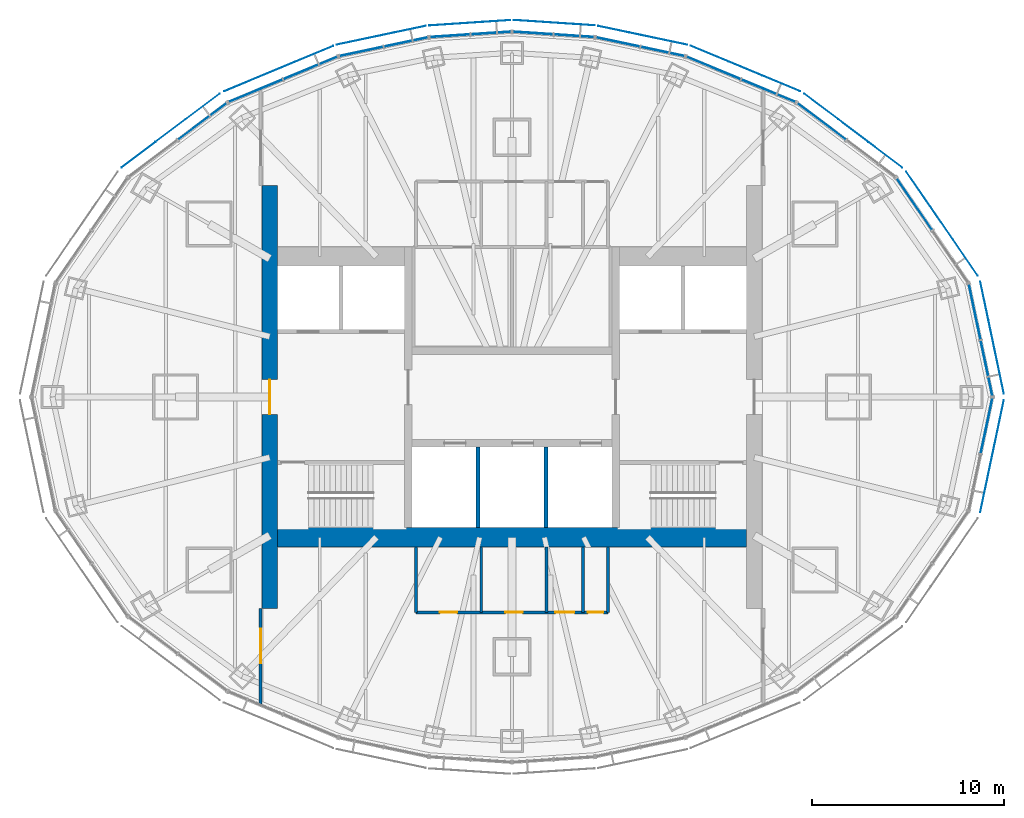
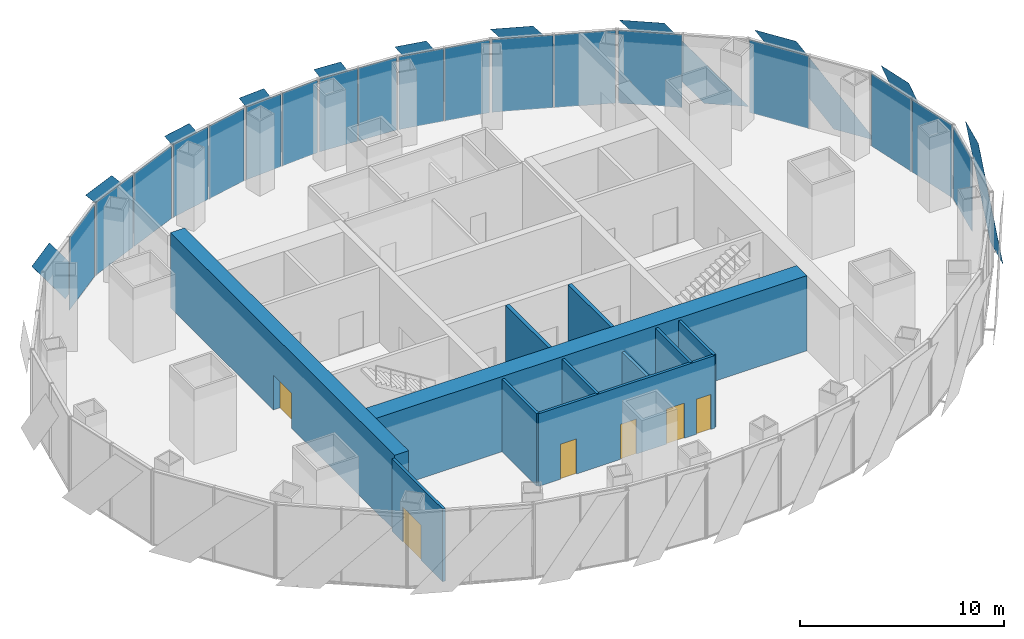
# One storey, part 10 of 15: 29 plates, 11 walls, 6 doors, 6 openings, 11 elements without a shape of their own.
"""IFC4 building model written with IfcOpenShell, lengths in metres."""

from ifc_helpers import new_model, si_unit, direction, frame, frame_2d, origin, origin_2d, place, context, subcontext, project, spatial, polyline, rectangle, outline, extrude, material, layer, layer_set, type_object, element, fill, aggregate, save


model = new_model("IFC4")

# Units and contexts
model_context = context("Model", 3, precision=1e-05, world=origin(), true_north=direction((0.0, 1.0)))
body_context = subcontext(model_context, "Body", "Model", "MODEL_VIEW")
ifc_project = project(units=[si_unit("LENGTHUNIT", "METRE"), si_unit("AREAUNIT", "SQUARE_METRE"), si_unit("VOLUMEUNIT", "CUBIC_METRE"), si_unit("PLANEANGLEUNIT", "RADIAN"), si_unit("MASSUNIT", "GRAM", prefix="KILO")], contexts=[model_context])

# Site, building, storey
site_placement = place(None, origin())
site = spatial("IfcSite", under=ifc_project, at=site_placement, CompositionType="ELEMENT")
building_placement = place(site_placement, origin())
building = spatial("IfcBuilding", under=site, at=building_placement, Name="Lantaw Convention Tower", CompositionType="ELEMENT")
storey_placement = place(building_placement, frame((0.0, 0.0, 274.89990234375)))
storey = spatial("IfcBuildingStorey", under=building, at=storey_placement, Name="L64", CompositionType="ELEMENT", Elevation=274.89990234375)

# Curtain wall, plates
ifc_material_1 = material(Name="Aluminium framed curtain wall", Category="aluminium")
curtain_wall_type = type_object("IfcCurtainWallType", Name="Executive floors curtain wall, pale aluminium", PredefinedType="USERDEFINED", material=ifc_material_1)
curtain_wall_1_placement = place(storey_placement, origin())
curtain_wall_1 = element("IfcCurtainWall", 1, at=curtain_wall_1_placement, inside=storey, type_object=curtain_wall_type, Name="Executive floors curtain wall, pale aluminium L64", ObjectType="UNITISED CURTAIN WALL", PredefinedType="USERDEFINED")
ifc_material_2 = material(Name="Clear insulating glass", Category="glass")
ifc_layer_1 = layer(ifc_material_2, 0.030029296875)
ifc_layer_set_1 = layer_set([ifc_layer_1], Name="CW-T panel 30")
plate_type_1 = type_object("IfcPlateType", Name="CW-T panel 30", PredefinedType="CURTAIN_PANEL", material=ifc_layer_set_1)
plate_1_placement = place(storey_placement, frame((24.68505859375, 1.497802734375, -0.080078125), z_axis=(0.0, 0.0, 1.0), x_axis=(-0.205814054946, 0.978591117263, 0.0)))
plate_1 = element("IfcPlate", 2, at=plate_1_placement, type_object=plate_type_1, Name="CW-T panel 1.1", PredefinedType="CURTAIN_PANEL", context=body_context, shape_type="SweptSolid", body=[
    extrude(rectangle(XDim=2.921142578125, YDim=0.030029296875, at=origin_2d()), origin(), (0.0, 0.0, 1.0), 4.360107421875),
])
plate_2_placement = place(storey_placement, frame((24.0693359375, 4.4248046875, -0.080078125), z_axis=(0.0, 0.0, 1.0), x_axis=(-0.205814054946, 0.978591117263, 0.0)))
plate_2 = element("IfcPlate", 3, at=plate_2_placement, type_object=plate_type_1, Name="CW-T panel 2.1", PredefinedType="CURTAIN_PANEL", context=body_context, shape_type="SweptSolid", body=[
    extrude(rectangle(XDim=2.921142578125, YDim=0.030029296875, at=origin_2d()), origin(), (0.0, 0.0, 1.0), 4.360107421875),
])
aggregate(curtain_wall_1, [plate_1, plate_2])

# Curtain wall, plate
curtain_wall_2_placement = place(storey_placement, origin())
curtain_wall_2 = element("IfcCurtainWall", 4, at=curtain_wall_2_placement, inside=storey, type_object=curtain_wall_type, Name="Executive floors curtain wall, pale aluminium L64", ObjectType="UNITISED CURTAIN WALL", PredefinedType="USERDEFINED")
plate_3_placement = place(storey_placement, frame((20.93505859375, 10.030029296875, -0.080078125), z_axis=(0.0, 0.0, 1.0), x_axis=(-0.565934832921, 0.824449977189, 0.0)))
plate_3 = element("IfcPlate", 5, at=plate_3_placement, type_object=plate_type_1, Name="CW-T panel 2.1", PredefinedType="CURTAIN_PANEL", context=body_context, shape_type="SweptSolid", body=[
    extrude(rectangle(XDim=3.22802734375, YDim=0.030029296875, at=origin_2d()), origin(), (0.0, 0.0, 1.0), 4.360107421875),
])
aggregate(curtain_wall_2, [plate_3])

curtain_wall_3_placement = place(storey_placement, origin())
curtain_wall_3 = element("IfcCurtainWall", 6, at=curtain_wall_3_placement, inside=storey, type_object=curtain_wall_type, Name="Executive floors curtain wall, pale aluminium L64", ObjectType="UNITISED CURTAIN WALL", PredefinedType="USERDEFINED")
plate_4_placement = place(storey_placement, frame((16.103271484375, 14.33203125, -0.080078125), z_axis=(0.0, 0.0, 1.0), x_axis=(-0.799517528732, 0.600642756762, 0.0)))
plate_4 = element("IfcPlate", 7, at=plate_4_placement, type_object=plate_type_1, Name="CW-T panel 2.1", PredefinedType="CURTAIN_PANEL", context=body_context, shape_type="SweptSolid", body=[
    extrude(rectangle(XDim=3.140869140625, YDim=0.030029296875, at=origin_2d()), origin(), (0.0, 0.0, 1.0), 4.360107421875),
])
aggregate(curtain_wall_3, [plate_4])

# Curtain wall, plates
curtain_wall_4_placement = place(storey_placement, origin())
curtain_wall_4 = element("IfcCurtainWall", 8, at=curtain_wall_4_placement, inside=storey, type_object=curtain_wall_type, Name="Executive floors curtain wall, pale aluminium L64", ObjectType="UNITISED CURTAIN WALL", PredefinedType="USERDEFINED")
plate_5_placement = place(storey_placement, frame((13.334716796875, 15.92431640625, -0.080078125), z_axis=(0.0, 0.0, 1.0), x_axis=(-0.923141777124, 0.384459697924, 0.0)))
plate_5 = element("IfcPlate", 9, at=plate_5_placement, type_object=plate_type_1, Name="CW-T panel 1.1", PredefinedType="CURTAIN_PANEL", context=body_context, shape_type="SweptSolid", body=[
    extrude(rectangle(XDim=3.01708984375, YDim=0.030029296875, at=origin_2d()), origin(), (0.0, 0.0, 1.0), 4.360107421875),
])
plate_6_placement = place(storey_placement, frame((10.48486328125, 17.111083984375, -0.080078125), z_axis=(0.0, 0.0, 1.0), x_axis=(-0.923141777124, 0.384459697924, 0.0)))
plate_6 = element("IfcPlate", 10, at=plate_6_placement, type_object=plate_type_1, Name="CW-T panel 2.1", PredefinedType="CURTAIN_PANEL", context=body_context, shape_type="SweptSolid", body=[
    extrude(rectangle(XDim=3.01708984375, YDim=0.030029296875, at=origin_2d()), origin(), (0.0, 0.0, 1.0), 4.360107421875),
])
aggregate(curtain_wall_4, [plate_5, plate_6])

curtain_wall_5_placement = place(storey_placement, origin())
curtain_wall_5 = element("IfcCurtainWall", 11, at=curtain_wall_5_placement, inside=storey, type_object=curtain_wall_type, Name="Executive floors curtain wall, pale aluminium L64", ObjectType="UNITISED CURTAIN WALL", PredefinedType="USERDEFINED")
plate_7_placement = place(storey_placement, frame((7.833740234375, 17.970703125, -0.080078125), z_axis=(0.0, 0.0, 1.0), x_axis=(-0.978332497083, 0.207039911975, 0.0)))
plate_7 = element("IfcPlate", 12, at=plate_7_placement, type_object=plate_type_1, Name="CW-T panel 1.1", PredefinedType="CURTAIN_PANEL", context=body_context, shape_type="SweptSolid", body=[
    extrude(rectangle(XDim=2.30078125, YDim=0.030029296875, at=origin_2d()), origin(), (0.0, 0.0, 1.0), 4.360107421875),
])
plate_8_placement = place(storey_placement, frame((5.514404296875, 18.46142578125, -0.080078125), z_axis=(0.0, 0.0, 1.0), x_axis=(-0.978332497083, 0.207039911975, 0.0)))
plate_8 = element("IfcPlate", 13, at=plate_8_placement, type_object=plate_type_1, Name="CW-T panel 2.1", PredefinedType="CURTAIN_PANEL", context=body_context, shape_type="SweptSolid", body=[
    extrude(rectangle(XDim=2.30078125, YDim=0.030029296875, at=origin_2d()), origin(), (0.0, 0.0, 1.0), 4.360107421875),
])
aggregate(curtain_wall_5, [plate_7, plate_8])

curtain_wall_6_placement = place(storey_placement, origin())
curtain_wall_6 = element("IfcCurtainWall", 14, at=curtain_wall_6_placement, inside=storey, type_object=curtain_wall_type, Name="Executive floors curtain wall, pale aluminium L64", ObjectType="UNITISED CURTAIN WALL", PredefinedType="USERDEFINED")
plate_9_placement = place(storey_placement, frame((3.222900390625, 18.78662109375, -0.080078125), z_axis=(0.0, 0.0, 1.0), x_axis=(-0.997817975525, 0.066024902273, 0.0)))
plate_9 = element("IfcPlate", 15, at=plate_9_placement, type_object=plate_type_1, Name="CW-T panel 1.1", PredefinedType="CURTAIN_PANEL", context=body_context, shape_type="SweptSolid", body=[
    extrude(rectangle(XDim=2.06005859375, YDim=0.030029296875, at=origin_2d()), origin(), (0.0, 0.0, 1.0), 4.360107421875),
])
plate_10_placement = place(storey_placement, frame((1.09765625, 18.927490234375, -0.080078125), z_axis=(0.0, 0.0, 1.0), x_axis=(-0.997817975525, 0.066024902273, 0.0)))
plate_10 = element("IfcPlate", 16, at=plate_10_placement, type_object=plate_type_1, Name="CW-T panel 2.1", PredefinedType="CURTAIN_PANEL", context=body_context, shape_type="SweptSolid", body=[
    extrude(rectangle(XDim=2.06005859375, YDim=0.030029296875, at=origin_2d()), origin(), (0.0, 0.0, 1.0), 4.360107421875),
])
aggregate(curtain_wall_6, [plate_9, plate_10])

curtain_wall_7_placement = place(storey_placement, origin())
curtain_wall_7 = element("IfcCurtainWall", 17, at=curtain_wall_7_placement, inside=storey, type_object=curtain_wall_type, Name="Executive floors curtain wall, pale aluminium L64", ObjectType="UNITISED CURTAIN WALL", PredefinedType="USERDEFINED")
plate_11_placement = place(storey_placement, frame((-1.09765625, 18.927490234375, -0.080078125), z_axis=(0.0, 0.0, 1.0), x_axis=(-0.997817975525, -0.066024902273, 0.0)))
plate_11 = element("IfcPlate", 18, at=plate_11_placement, type_object=plate_type_1, Name="CW-T panel 1.1", PredefinedType="CURTAIN_PANEL", context=body_context, shape_type="SweptSolid", body=[
    extrude(rectangle(XDim=2.06005859375, YDim=0.030029296875, at=origin_2d()), origin(), (0.0, 0.0, 1.0), 4.360107421875),
])
plate_12_placement = place(storey_placement, frame((-3.222900390625, 18.78662109375, -0.080078125), z_axis=(0.0, 0.0, 1.0), x_axis=(-0.997817975525, -0.066024902273, 0.0)))
plate_12 = element("IfcPlate", 19, at=plate_12_placement, type_object=plate_type_1, Name="CW-T panel 2.1", PredefinedType="CURTAIN_PANEL", context=body_context, shape_type="SweptSolid", body=[
    extrude(rectangle(XDim=2.06005859375, YDim=0.030029296875, at=origin_2d()), origin(), (0.0, 0.0, 1.0), 4.360107421875),
])
aggregate(curtain_wall_7, [plate_11, plate_12])

curtain_wall_8_placement = place(storey_placement, origin())
curtain_wall_8 = element("IfcCurtainWall", 20, at=curtain_wall_8_placement, inside=storey, type_object=curtain_wall_type, Name="Executive floors curtain wall, pale aluminium L64", ObjectType="UNITISED CURTAIN WALL", PredefinedType="USERDEFINED")
plate_13_placement = place(storey_placement, frame((-5.514404296875, 18.46142578125, -0.080078125), z_axis=(0.0, 0.0, 1.0), x_axis=(-0.978332497083, -0.207039911975, 0.0)))
plate_13 = element("IfcPlate", 21, at=plate_13_placement, type_object=plate_type_1, Name="CW-T panel 1.1", PredefinedType="CURTAIN_PANEL", context=body_context, shape_type="SweptSolid", body=[
    extrude(rectangle(XDim=2.30078125, YDim=0.030029296875, at=origin_2d()), origin(), (0.0, 0.0, 1.0), 4.360107421875),
])
plate_14_placement = place(storey_placement, frame((-7.833740234375, 17.970703125, -0.080078125), z_axis=(0.0, 0.0, 1.0), x_axis=(-0.978332497083, -0.207039911975, 0.0)))
plate_14 = element("IfcPlate", 22, at=plate_14_placement, type_object=plate_type_1, Name="CW-T panel 2.1", PredefinedType="CURTAIN_PANEL", context=body_context, shape_type="SweptSolid", body=[
    extrude(rectangle(XDim=2.30078125, YDim=0.030029296875, at=origin_2d()), origin(), (0.0, 0.0, 1.0), 4.360107421875),
])
aggregate(curtain_wall_8, [plate_13, plate_14])

curtain_wall_9_placement = place(storey_placement, origin())
curtain_wall_9 = element("IfcCurtainWall", 23, at=curtain_wall_9_placement, inside=storey, type_object=curtain_wall_type, Name="Executive floors curtain wall, pale aluminium L64", ObjectType="UNITISED CURTAIN WALL", PredefinedType="USERDEFINED")
plate_15_placement = place(storey_placement, frame((-10.48486328125, 17.111083984375, -0.080078125), z_axis=(0.0, 0.0, 1.0), x_axis=(-0.923141777124, -0.384459697924, 0.0)))
plate_15 = element("IfcPlate", 24, at=plate_15_placement, type_object=plate_type_1, Name="CW-T panel 1.1", PredefinedType="CURTAIN_PANEL", context=body_context, shape_type="SweptSolid", body=[
    extrude(rectangle(XDim=3.01708984375, YDim=0.030029296875, at=origin_2d()), origin(), (0.0, 0.0, 1.0), 4.360107421875),
])
plate_16_placement = place(storey_placement, frame((-13.334716796875, 15.92431640625, -0.080078125), z_axis=(0.0, 0.0, 1.0), x_axis=(-0.923141777124, -0.384459697924, 0.0)))
plate_16 = element("IfcPlate", 25, at=plate_16_placement, type_object=plate_type_1, Name="CW-T panel 2.1", PredefinedType="CURTAIN_PANEL", context=body_context, shape_type="SweptSolid", body=[
    extrude(rectangle(XDim=3.01708984375, YDim=0.030029296875, at=origin_2d()), origin(), (0.0, 0.0, 1.0), 4.360107421875),
])
aggregate(curtain_wall_9, [plate_15, plate_16])

# Curtain wall, plate
curtain_wall_10_placement = place(storey_placement, origin())
curtain_wall_10 = element("IfcCurtainWall", 26, at=curtain_wall_10_placement, inside=storey, type_object=curtain_wall_type, Name="Executive floors curtain wall, pale aluminium L64", ObjectType="UNITISED CURTAIN WALL", PredefinedType="USERDEFINED")
plate_17_placement = place(storey_placement, frame((-16.103271484375, 14.33203125, -0.080078125), z_axis=(0.0, 0.0, 1.0), x_axis=(-0.799517528732, -0.600642756762, 0.0)))
plate_17 = element("IfcPlate", 27, at=plate_17_placement, type_object=plate_type_1, Name="CW-T panel 1.1", PredefinedType="CURTAIN_PANEL", context=body_context, shape_type="SweptSolid", body=[
    extrude(rectangle(XDim=3.140869140625, YDim=0.030029296875, at=origin_2d()), origin(), (0.0, 0.0, 1.0), 4.360107421875),
])
aggregate(curtain_wall_10, [plate_17])

curtain_wall_11_placement = place(storey_placement, origin())
curtain_wall_11 = element("IfcCurtainWall", 28, at=curtain_wall_11_placement, inside=storey, type_object=curtain_wall_type, Name="Executive floors curtain wall, pale aluminium L64", ObjectType="UNITISED CURTAIN WALL", PredefinedType="USERDEFINED")
plate_18_placement = place(storey_placement, frame((24.68505859375, -1.497802734375, -0.080078125), z_axis=(0.0, 0.0, 1.0), x_axis=(0.205814054946, 0.978591117263, 0.0)))
plate_18 = element("IfcPlate", 29, at=plate_18_placement, type_object=plate_type_1, Name="CW-T panel 2.1", PredefinedType="CURTAIN_PANEL", context=body_context, shape_type="SweptSolid", body=[
    extrude(rectangle(XDim=2.921142578125, YDim=0.030029296875, at=origin_2d()), origin(), (0.0, 0.0, 1.0), 4.360107421875),
])
aggregate(curtain_wall_11, [plate_18])

# Plates
ifc_material_3 = material(Name="Perforated aluminium sheet, pale silver finish", Category="aluminium")
ifc_layer_2 = layer(ifc_material_3, 0.006103515625)
ifc_layer_set_2 = layer_set([ifc_layer_2], Name="Perforated aluminium solar SCREEN panel")
plate_type_2 = type_object("IfcPlateType", Name="Perforated aluminium solar SCREEN panel", PredefinedType="SHEET", material=ifc_layer_set_2)
plate_19_placement = place(storey_placement, frame((25.582763671875, 0.173583984375, -0.1748046875), z_axis=(-0.978586273284, -0.205837083609, 2.7416916e-05), x_axis=(-0.205837083686, 0.978586273652, -3.35e-10)))
element("IfcPlate", 30, at=plate_19_placement, inside=storey, type_object=plate_type_2, Name="Solar SCREEN panel", PredefinedType="SHEET", context=body_context, shape_type="SweptSolid", body=[
    extrude(outline(polyline([(0.0, 0.0), (2.0577409485534544, 0.0), (5.952387788728329, -4.6398925818616235), (3.8944079275104078, -4.639892580483756), (0.0, 0.0)])), origin(), (0.0, 0.0, -1.0), 0.006103515625),
])
plate_20_placement = place(storey_placement, frame((24.2255859375, 6.306884765625, -0.1748046875), z_axis=(-0.824440912544, -0.5659480379, 1.1008019e-05), x_axis=(-0.565948037934, 0.824440912594, 4.89e-10)))
element("IfcPlate", 31, at=plate_20_placement, inside=storey, type_object=plate_type_2, Name="Solar SCREEN panel", PredefinedType="SHEET", context=body_context, shape_type="SweptSolid", body=[
    extrude(outline(polyline([(0.0, 0.0), (2.2662039422237275, 0.0), (6.5657307277045955, -4.639892575196436), (4.29938861457317, -4.639892577412192), (0.0, 0.0)])), origin(), (0.0, 0.0, -1.0), 0.006103515625),
])
plate_21_placement = place(storey_placement, frame((20.305908203125, 11.932861328125, -0.1748046875), z_axis=(0.600672301748, 0.799495331375, 3.198432e-05), x_axis=(-0.799495331784, 0.600672302055, 1.414e-09)))
element("IfcPlate", 32, at=plate_21_placement, inside=storey, type_object=plate_type_2, Name="Solar SCREEN panel", PredefinedType="SHEET", context=body_context, shape_type="SweptSolid", body=[
    extrude(outline(polyline([(0.0, 0.0), (2.2071296040750283, 0.0), (6.391554874574737, 4.6398925714588515), (4.184278621988465, 4.639892577702056), (0.0, 0.0)])), origin(), (0.0, 0.0, -1.0), 0.006103515625),
])
plate_22_placement = place(storey_placement, frame((14.978759765625, 15.89599609375, -0.1748046875), z_axis=(-0.38443981788, -0.923150056246, 8.994749e-06), x_axis=(-0.923150056284, 0.384439817896, -1.99e-10)))
element("IfcPlate", 33, at=plate_22_placement, inside=storey, type_object=plate_type_2, Name="Solar SCREEN panel", PredefinedType="SHEET", context=body_context, shape_type="SweptSolid", body=[
    extrude(outline(polyline([(0.0, 0.0), (2.123103262468179, 0.0), (6.1440618510600045, -4.639892579534249), (4.021183967023536, -4.63989257869007), (0.0, 0.0)])), origin(), (0.0, 0.0, -1.0), 0.006103515625),
])
plate_23_placement = place(storey_placement, frame((9.104248046875, 18.321044921875, -0.1748046875), z_axis=(0.207067097355, 0.978326743573, 1.743264e-06), x_axis=(-0.978326743574, 0.207067097355, -1.54e-10)))
element("IfcPlate", 34, at=plate_23_placement, inside=storey, type_object=plate_type_2, Name="Solar SCREEN panel", PredefinedType="SHEET", context=body_context, shape_type="SweptSolid", body=[
    extrude(outline(polyline([(0.0, 0.0), (1.6358254236472698, 0.0), (4.711486581246437, 4.639892578858586), (3.075472861787101, 4.6398925783540514), (0.0, 0.0)])), origin(), (0.0, 0.0, -1.0), 0.006103515625),
])
plate_24_placement = place(storey_placement, frame((4.310546875, 19.322021484375, -0.1748046875), z_axis=(-0.066001689438, -0.997819510926, 2.4641594e-05), x_axis=(-0.997819511229, 0.066001689458, 0.0)))
element("IfcPlate", 35, at=plate_24_placement, inside=storey, type_object=plate_type_2, Name="Solar SCREEN panel", PredefinedType="SHEET", context=body_context, shape_type="SweptSolid", body=[
    extrude(outline(polyline([(0.0, 0.0), (1.4722042654949696, 0.0), (4.229933994839303, -4.639892579533692), (2.7577297293443337, -4.639892579533692), (0.0, 0.0)])), origin(), (0.0, 0.0, -1.0), 0.006103515625),
])
plate_25_placement = place(storey_placement, frame((-0.08984375, 19.601318359375, -0.1748046875), z_axis=(-0.066001689438, 0.997819510926, 2.4641594e-05), x_axis=(-0.997819511229, -0.066001689458, 0.0)))
element("IfcPlate", 36, at=plate_25_placement, inside=storey, type_object=plate_type_2, Name="Solar SCREEN panel", PredefinedType="SHEET", context=body_context, shape_type="SweptSolid", body=[
    extrude(outline(polyline([(0.0, 0.0), (1.4722042654949696, 0.0), (4.229933994839303, 4.639892579533692), (2.7577297293443337, 4.639892579533692), (0.0, 0.0)])), origin(), (0.0, 0.0, -1.0), 0.006103515625),
])
plate_26_placement = place(storey_placement, frame((-4.494873046875, 19.296630859375, -0.1748046875), z_axis=(0.207067097355, -0.978326743573, 1.743264e-06), x_axis=(-0.978326743574, -0.207067097355, 1.54e-10)))
element("IfcPlate", 37, at=plate_26_placement, inside=storey, type_object=plate_type_2, Name="Solar SCREEN panel", PredefinedType="SHEET", context=body_context, shape_type="SweptSolid", body=[
    extrude(outline(polyline([(0.0, 0.0), (1.6360137194593352, 0.0), (4.711486582677345, -4.639892577405598), (3.0756611590300755, -4.639892577910074), (0.0, 0.0)])), origin(), (0.0, 0.0, -1.0), 0.006103515625),
])
plate_27_placement = place(storey_placement, frame((-9.306884765625, 18.258056640625, -0.1748046875), z_axis=(-0.38443981788, 0.923150056246, 8.994749e-06), x_axis=(-0.923150056284, -0.384439817896, 1.99e-10)))
element("IfcPlate", 38, at=plate_27_placement, inside=storey, type_object=plate_type_2, Name="Solar SCREEN panel", PredefinedType="SHEET", context=body_context, shape_type="SweptSolid", body=[
    extrude(outline(polyline([(0.0, 0.0), (2.1228778840364693, 8.470329472543003e-22), (6.144061852905094, 4.639892577091015), (4.020958590436915, 4.639892577935282), (0.0, 0.0)])), origin(), (0.0, 0.0, -1.0), 0.006103515625),
])
plate_28_placement = place(storey_placement, frame((-15.19580078125, 15.77197265625, -0.1748046875), z_axis=(0.600672301748, -0.799495331375, 3.198432e-05), x_axis=(-0.799495331784, -0.600672302055, -1.414e-09)))
element("IfcPlate", 39, at=plate_28_placement, inside=storey, type_object=plate_type_2, Name="Solar SCREEN panel", PredefinedType="SHEET", context=body_context, shape_type="SweptSolid", body=[
    extrude(outline(polyline([(0.0, 0.0), (2.207276252586272, 0.0), (6.391554861450962, -4.639892589537142), (4.184425257375934, -4.639892583294353), (0.0, 0.0)])), origin(), (0.0, 0.0, -1.0), 0.006103515625),
])
plate_29_placement = place(storey_placement, frame((24.357666015625, -5.99853515625, -0.1748046875), z_axis=(0.978586273284, -0.205837083609, 2.7416916e-05), x_axis=(0.205837083686, 0.978586273652, 3.35e-10)))
element("IfcPlate", 40, at=plate_29_placement, inside=storey, type_object=plate_type_2, Name="Solar SCREEN panel", PredefinedType="SHEET", context=body_context, shape_type="SweptSolid", body=[
    extrude(outline(polyline([(0.0, 0.0), (2.05797986121792, 0.0), (5.952387791834848, 4.639892577876355), (3.8946468432813948, 4.639892579254063), (0.0, 0.0)])), origin(), (0.0, 0.0, -1.0), 0.006103515625),
])

# Wall, opening, door
ifc_material_4 = material(Name="Gypsum board on steel studs, acoustic", Category="steel")
ifc_layer_3 = layer(ifc_material_4, 0.14990234375)
ifc_layer_set_3 = layer_set([ifc_layer_3], Name="Club partition 150")
wall_type_1 = type_object("IfcWallType", Name="Club partition 150", PredefinedType="PARTITIONING", material=ifc_layer_set_3)
wall_1_placement = place(storey_placement, frame((-13.074951171875, -11.0, 0.0), z_axis=(0.0, 0.0, 1.0), x_axis=(0.0, -1.0, 0.0)))
wall_1 = element("IfcWall", 41, at=wall_1_placement, inside=storey, type_object=wall_type_1, Name="Club partition 150", PredefinedType="PARTITIONING", context=body_context, shape_type="SweptSolid", body=[
    extrude(rectangle(XDim=4.974365234375, YDim=0.14990234375, at=frame_2d((2.4873046875, 0.0))), origin(), (0.0, 0.0, 1.0), 4.35009765625),
])
opening_1_placement = place(wall_1_placement, frame((1.042724609375, 0.0, 0.0)))
opening_1 = element("IfcOpeningElement", 42, at=opening_1_placement, cuts=wall_1, Name="Opening L64.24", PredefinedType="OPENING", context=body_context, shape_type="SweptSolid", body=[
    extrude(rectangle(XDim=1.800048828125, YDim=2.10009765625, at=frame_2d((0.89990234375, 1.050048828125))), frame((0.0, 0.0849609375, 0.0), z_axis=(0.0, -1.0, 0.0), x_axis=(1.0, 0.0, 0.0)), (0.0, 0.0, 1.0), 0.169921875),
])
ifc_material_5 = material(Name="Timber", Category="wood")
door_type_1 = type_object("IfcDoorType", Name="Club double door 1800", OperationType="DOUBLE_DOOR_DOUBLE_SWING", PredefinedType="DOOR", material=ifc_material_5)
door_1_placement = place(opening_1_placement, origin())
door_1 = element("IfcDoor", 43, at=door_1_placement, inside=storey, type_object=door_type_1, Name="Door", OperationType="DOUBLE_DOOR_DOUBLE_SWING", OverallHeight=2.10009765625, OverallWidth=1.800048828125, PredefinedType="DOOR", context=body_context, shape_type="SweptSolid", body=[
    extrude(rectangle(XDim=1.800048828125, YDim=2.10009765625, at=frame_2d((0.89990234375, 1.050048828125))), frame((0.0, 0.02490234375, 0.0), z_axis=(0.0, -1.0, 0.0), x_axis=(1.0, 0.0, 0.0)), (0.0, 0.0, 1.0), 0.050048828125),
])
fill(opening_1, door_1)

# Wall
ifc_material_6 = material(Name="Concrete C60/75", Category="concrete")
ifc_layer_4 = layer(ifc_material_6, 1.0)
ifc_layer_set_4 = layer_set([ifc_layer_4], Name="Core wall 1000")
wall_type_2 = type_object("IfcWallType", Name="Core wall 1000", PredefinedType="SHEAR", material=ifc_layer_set_4)
wall_2_placement = place(storey_placement, frame((-12.199951171875, -7.300048828125, 0.0), z_axis=(0.0, 0.0, 1.0), x_axis=(1.0, 0.0, 0.0)))
element("IfcWall", 44, at=wall_2_placement, inside=storey, type_object=wall_type_2, Name="Core wall S", PredefinedType="SHEAR", context=body_context, shape_type="SweptSolid", body=[
    extrude(rectangle(XDim=24.39990234375, YDim=1.0, at=frame_2d((12.199951171875, 0.0))), origin(), (0.0, 0.0, 1.0), 4.5),
])

# Wall, opening, door
ifc_layer_5 = layer(ifc_material_6, 0.800048828125)
ifc_layer_set_5 = layer_set([ifc_layer_5], Name="Core wall 800")
wall_type_3 = type_object("IfcWallType", Name="Core wall 800", PredefinedType="SHEAR", material=ifc_layer_set_5)
wall_3_placement = place(storey_placement, frame((-12.60009765625, 11.0, 0.0), z_axis=(0.0, 0.0, 1.0), x_axis=(0.0, -1.0, 0.0)))
wall_3 = element("IfcWall", 45, at=wall_3_placement, inside=storey, type_object=wall_type_3, Name="Core wall W", PredefinedType="SHEAR", context=body_context, shape_type="SweptSolid", body=[
    extrude(rectangle(XDim=22.0, YDim=0.800048828125, at=frame_2d((11.0, 0.0))), origin(), (0.0, 0.0, 1.0), 4.5),
])
opening_2_placement = place(wall_3_placement, frame((10.10009765625, 0.0, 0.0)))
opening_2 = element("IfcOpeningElement", 46, at=opening_2_placement, cuts=wall_3, Name="Opening L64.06", PredefinedType="OPENING", context=body_context, shape_type="SweptSolid", body=[
    extrude(rectangle(XDim=1.800048828125, YDim=2.10009765625, at=frame_2d((0.89990234375, 1.050048828125))), frame((0.0, 0.409912109375, 0.0), z_axis=(0.0, -1.0, 0.0), x_axis=(1.0, 0.0, 0.0)), (0.0, 0.0, 1.0), 0.820068359375),
])
ifc_material_7 = material(Name="Steel, fire rated", Category="steel")
door_type_2 = type_object("IfcDoorType", Name="Lobby double door FD90", OperationType="DOUBLE_DOOR_DOUBLE_SWING", PredefinedType="DOOR", material=ifc_material_7)
door_2_placement = place(opening_2_placement, origin())
door_2 = element("IfcDoor", 47, at=door_2_placement, inside=storey, type_object=door_type_2, Name="Firefighting lobby door", OperationType="DOUBLE_DOOR_DOUBLE_SWING", OverallHeight=2.10009765625, OverallWidth=1.800048828125, PredefinedType="DOOR", context=body_context, shape_type="SweptSolid", body=[
    extrude(rectangle(XDim=1.800048828125, YDim=2.10009765625, at=frame_2d((0.89990234375, 1.050048828125))), frame((0.0, 0.02490234375, 0.0), z_axis=(0.0, -1.0, 0.0), x_axis=(1.0, 0.0, 0.0)), (0.0, 0.0, 1.0), 0.050048828125),
])
fill(opening_2, door_2)

# Walls
ifc_material_8 = material(Name="Concrete blockwork, fire rated", Category="masonry")
ifc_layer_6 = layer(ifc_material_8, 0.199951171875)
ifc_layer_set_6 = layer_set([ifc_layer_6], Name="Shaft wall 200 load-bearing")
wall_type_4 = type_object("IfcWallType", Name="Shaft wall 200 load-bearing", PredefinedType="SOLIDWALL", material=ifc_layer_set_6)
for number, where, z_axis, x_axis, name in (
    (48, (-1.7666015625, -2.60009765625, 0.0), (0.0, 0.0, 1.0), (0.0, -1.0, 0.0), "Shaft wall DS1"),
    (49, (1.7666015625, -2.60009765625, 0.0), (0.0, 0.0, 1.0), (0.0, -1.0, 0.0), "Shaft wall DS2"),
):
    element("IfcWall", number, at=place(storey_placement, frame(where, z_axis=z_axis, x_axis=x_axis)), inside=storey, type_object=wall_type_4, Name=name, PredefinedType="SOLIDWALL", context=body_context, shape_type="SweptSolid", body=[
        extrude(rectangle(XDim=4.199951171875, YDim=0.199951171875, at=frame_2d((2.10009765625, 0.0))), origin(), (0.0, 0.0, 1.0), 4.5),
    ])

# Wall, openings, doors
ifc_material_9 = material(Name="Concrete blockwork", Category="masonry")
ifc_layer_7 = layer(ifc_material_9, 0.14990234375)
ifc_layer_set_7 = layer_set([ifc_layer_7], Name="WC wall 150")
wall_type_5 = type_object("IfcWallType", Name="WC wall 150", PredefinedType="SOLIDWALL", material=ifc_layer_set_7)
wall_4_placement = place(storey_placement, frame((-5.0, -11.199951171875, 0.0), z_axis=(0.0, 0.0, 1.0), x_axis=(1.0, 0.0, 0.0)))
wall_4 = element("IfcWall", 50, at=wall_4_placement, inside=storey, type_object=wall_type_5, Name="WC wall 150", PredefinedType="SOLIDWALL", context=body_context, shape_type="SweptSolid", body=[
    extrude(rectangle(XDim=10.0, YDim=0.14990234375, at=frame_2d((5.0, 0.0))), origin(), (0.0, 0.0, 1.0), 4.35009765625),
])
opening_3_placement = place(wall_4_placement, frame((1.25, 0.0, 0.0)))
opening_3 = element("IfcOpeningElement", 51, at=opening_3_placement, cuts=wall_4, Name="Opening L64.18", PredefinedType="OPENING", context=body_context, shape_type="SweptSolid", body=[
    extrude(rectangle(XDim=0.89990234375, YDim=2.10009765625, at=frame_2d((0.449951171875, 1.050048828125))), frame((0.0, 0.0849609375, 0.0), z_axis=(0.0, -1.0, 0.0), x_axis=(1.0, 0.0, 0.0)), (0.0, 0.0, 1.0), 0.169921875),
])
opening_4_placement = place(wall_4_placement, frame((4.64990234375, 0.0, 0.0)))
opening_4 = element("IfcOpeningElement", 52, at=opening_4_placement, cuts=wall_4, Name="Opening L64.19", PredefinedType="OPENING", context=body_context, shape_type="SweptSolid", body=[
    extrude(rectangle(XDim=0.89990234375, YDim=2.10009765625, at=frame_2d((0.449951171875, 1.050048828125))), frame((0.0, 0.0849609375, 0.0), z_axis=(0.0, -1.0, 0.0), x_axis=(1.0, 0.0, 0.0)), (0.0, 0.0, 1.0), 0.169921875),
])
opening_5_placement = place(wall_4_placement, frame((7.25, 0.0, 0.0)))
opening_5 = element("IfcOpeningElement", 53, at=opening_5_placement, cuts=wall_4, Name="Opening L64.20", PredefinedType="OPENING", context=body_context, shape_type="SweptSolid", body=[
    extrude(rectangle(XDim=1.0, YDim=2.10009765625, at=frame_2d((0.5, 1.050048828125))), frame((0.0, 0.0849609375, 0.0), z_axis=(0.0, -1.0, 0.0), x_axis=(1.0, 0.0, 0.0)), (0.0, 0.0, 1.0), 0.169921875),
])
opening_6_placement = place(wall_4_placement, frame((8.949951171875, 0.0, 0.0)))
opening_6 = element("IfcOpeningElement", 54, at=opening_6_placement, cuts=wall_4, Name="Opening L64.21", PredefinedType="OPENING", context=body_context, shape_type="SweptSolid", body=[
    extrude(rectangle(XDim=0.800048828125, YDim=2.10009765625, at=frame_2d((0.39990234375, 1.050048828125))), frame((0.0, 0.0849609375, 0.0), z_axis=(0.0, -1.0, 0.0), x_axis=(1.0, 0.0, 0.0)), (0.0, 0.0, 1.0), 0.169921875),
])
door_type_3 = type_object("IfcDoorType", Name="Accessible WC door 1000", OperationType="SINGLE_SWING_LEFT", PredefinedType="DOOR", material=ifc_material_5)
door_3_placement = place(opening_5_placement, origin())
door_3 = element("IfcDoor", 55, at=door_3_placement, inside=storey, type_object=door_type_3, Name="Accessible WC door", OperationType="SINGLE_SWING_LEFT", OverallHeight=2.10009765625, OverallWidth=1.0, PredefinedType="DOOR", context=body_context, shape_type="SweptSolid", body=[
    extrude(rectangle(XDim=1.0, YDim=2.10009765625, at=frame_2d((0.5, 1.050048828125))), frame((0.0, 0.02490234375, 0.0), z_axis=(0.0, -1.0, 0.0), x_axis=(1.0, 0.0, 0.0)), (0.0, 0.0, 1.0), 0.050048828125),
])
fill(opening_5, door_3)
door_type_4 = type_object("IfcDoorType", Name="WC door 800", OperationType="SINGLE_SWING_LEFT", PredefinedType="DOOR", material=ifc_material_5)
door_4_placement = place(opening_6_placement, origin())
door_4 = element("IfcDoor", 56, at=door_4_placement, inside=storey, type_object=door_type_4, Name="Pantry door", OperationType="SINGLE_SWING_LEFT", OverallHeight=2.10009765625, OverallWidth=0.800048828125, PredefinedType="DOOR", context=body_context, shape_type="SweptSolid", body=[
    extrude(rectangle(XDim=0.800048828125, YDim=2.10009765625, at=frame_2d((0.39990234375, 1.050048828125))), frame((0.0, 0.02490234375, 0.0), z_axis=(0.0, -1.0, 0.0), x_axis=(1.0, 0.0, 0.0)), (0.0, 0.0, 1.0), 0.050048828125),
])
fill(opening_6, door_4)
door_type_5 = type_object("IfcDoorType", Name="WC door 900", OperationType="SINGLE_SWING_LEFT", PredefinedType="DOOR", material=ifc_material_5)
door_5_placement = place(opening_3_placement, origin())
door_5 = element("IfcDoor", 57, at=door_5_placement, inside=storey, type_object=door_type_5, Name="Female WC door", OperationType="SINGLE_SWING_LEFT", OverallHeight=2.10009765625, OverallWidth=0.89990234375, PredefinedType="DOOR", context=body_context, shape_type="SweptSolid", body=[
    extrude(rectangle(XDim=0.89990234375, YDim=2.10009765625, at=frame_2d((0.449951171875, 1.050048828125))), frame((0.0, 0.02490234375, 0.0), z_axis=(0.0, -1.0, 0.0), x_axis=(1.0, 0.0, 0.0)), (0.0, 0.0, 1.0), 0.050048828125),
])
fill(opening_3, door_5)
door_6_placement = place(opening_4_placement, origin())
door_6 = element("IfcDoor", 58, at=door_6_placement, inside=storey, type_object=door_type_5, Name="Male WC door", OperationType="SINGLE_SWING_LEFT", OverallHeight=2.10009765625, OverallWidth=0.89990234375, PredefinedType="DOOR", context=body_context, shape_type="SweptSolid", body=[
    extrude(rectangle(XDim=0.89990234375, YDim=2.10009765625, at=frame_2d((0.449951171875, 1.050048828125))), frame((0.0, 0.02490234375, 0.0), z_axis=(0.0, -1.0, 0.0), x_axis=(1.0, 0.0, 0.0)), (0.0, 0.0, 1.0), 0.050048828125),
])
fill(opening_4, door_6)

# Walls
for number, where, z_axis, x_axis, name in (
    (59, (-5.0, -7.800048828125, 0.0), (0.0, 0.0, 1.0), (0.0, -1.0, 0.0), "WC wall 150"),
    (60, (5.0, -7.800048828125, 0.0), (0.0, 0.0, 1.0), (0.0, -1.0, 0.0), "WC wall 150"),
    (61, (-1.60009765625, -7.800048828125, 0.0), (0.0, 0.0, 1.0), (0.0, -1.0, 0.0), "WC wall 150"),
):
    element("IfcWall", number, at=place(storey_placement, frame(where, z_axis=z_axis, x_axis=x_axis)), inside=storey, type_object=wall_type_5, Name=name, PredefinedType="SOLIDWALL", context=body_context, shape_type="SweptSolid", body=[
        extrude(rectangle(XDim=3.39990234375, YDim=0.14990234375, at=frame_2d((1.699951171875, 0.0))), origin(), (0.0, 0.0, 1.0), 4.35009765625),
    ])
wall_5_placement = place(storey_placement, frame((1.800048828125, -7.800048828125, 0.0), z_axis=(0.0, 0.0, 1.0), x_axis=(0.0, -1.0, 0.0)))
element("IfcWall", 62, at=wall_5_placement, inside=storey, type_object=wall_type_5, Name="WC wall 150", PredefinedType="SOLIDWALL", context=body_context, shape_type="SweptSolid", body=[
    extrude(rectangle(XDim=3.39990234375, YDim=0.14990234375, at=frame_2d((1.699951171875, 0.0))), origin(), (0.0, 0.0, 1.0), 3.59326171875),
])
wall_6_placement = place(storey_placement, frame((3.699951171875, -7.800048828125, 0.0), z_axis=(0.0, 0.0, 1.0), x_axis=(0.0, -1.0, 0.0)))
element("IfcWall", 63, at=wall_6_placement, inside=storey, type_object=wall_type_5, Name="WC wall 150", PredefinedType="SOLIDWALL", context=body_context, shape_type="SweptSolid", body=[
    extrude(rectangle(XDim=3.39990234375, YDim=0.14990234375, at=frame_2d((1.699951171875, 0.0))), origin(), (0.0, 0.0, 1.0), 4.35009765625),
])

save(model, "model.ifc")
